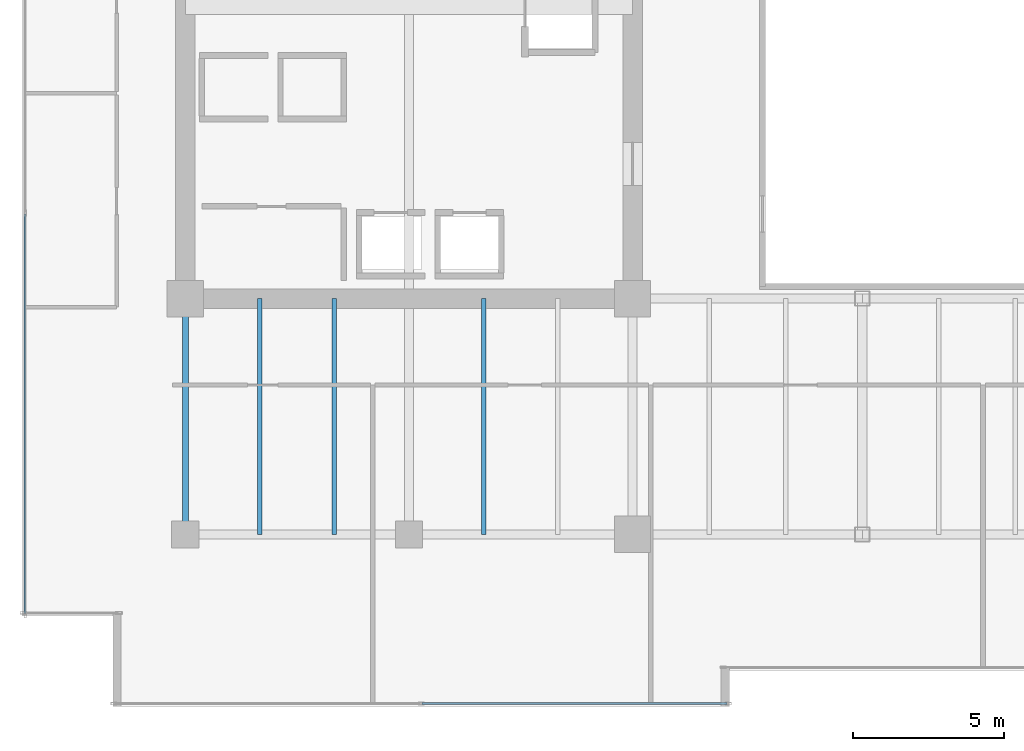
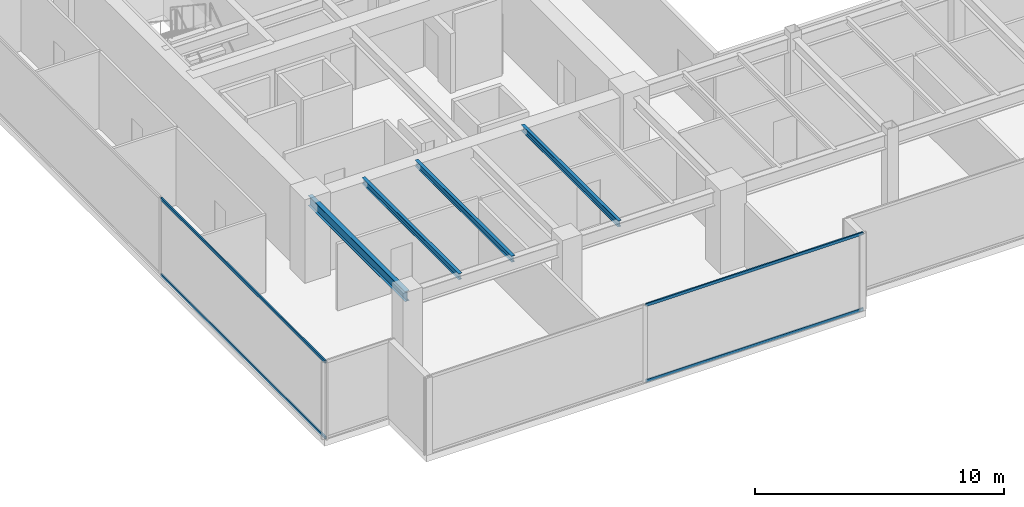
# One storey, part 3 of 30: 4 beams, 4 members, 2 elements without a shape of their own.
"""IFC4 building model written with IfcOpenShell, lengths in metres."""

from ifc_helpers import new_model, si_unit, direction, frame, origin, origin_2d, place, context, subcontext, project, spatial, hollow_rectangle, i_section, extrude, source, transform, mapped, material, layer, layer_set, material_profile, profile_set, type_object, type_shapes, element, aggregate, save


model = new_model("IFC4")

# Units and contexts
model_context = context("Model", 3, precision=1e-05, world=origin(), true_north=direction((0.0, 1.0)))
body_context = subcontext(model_context, "Body", "Model", "MODEL_VIEW")
ifc_project = project(units=[si_unit("LENGTHUNIT", "METRE"), si_unit("AREAUNIT", "SQUARE_METRE"), si_unit("VOLUMEUNIT", "CUBIC_METRE"), si_unit("PLANEANGLEUNIT", "RADIAN"), si_unit("MASSUNIT", "GRAM", prefix="KILO")], contexts=[model_context])

# Site, building, storey
site_placement = place(None, origin())
site = spatial("IfcSite", under=ifc_project, at=site_placement, CompositionType="ELEMENT")
building_placement = place(site_placement, origin())
building = spatial("IfcBuilding", under=site, at=building_placement, Name="Haelvirn Gate Laboratories", CompositionType="ELEMENT")
storey_placement = place(building_placement, frame((0.0, 0.0, 162.5)))
storey = spatial("IfcBuildingStorey", under=building, at=storey_placement, Name="L39", CompositionType="ELEMENT", Elevation=162.5)

# Beams
ifc_material_1 = material(Name="Steel SM355", Category="steel")
ifc_material_profile_1 = material_profile(ifc_material_1, i_section(OverallWidth=0.199951171875, OverallDepth=0.5, WebThickness=0.010009765625, FlangeThickness=0.01611328125, at=origin_2d()), Name="H-500x200x10x16")
ifc_profile_set_1 = profile_set([ifc_material_profile_1], Name="Steel SM355")
beam_type_1 = type_object("IfcBeamType", Name="BM-SP-500", PredefinedType="SPANDREL", material=ifc_profile_set_1)
shared_shape_1 = source(origin(), body_context, "Body", "SweptSolid", [
    extrude(i_section(OverallWidth=0.199951171875, OverallDepth=0.5, WebThickness=0.010009765625, FlangeThickness=0.01611328125, at=origin_2d()), origin(), (0.0, 0.0, 1.0), 7.800048828125),
])
type_shapes(beam_type_1, [shared_shape_1])
beam_placement = place(storey_placement, frame((7.39990234375, 7.0, 3.5400390625), z_axis=(0.0, 1.0, 0.0), x_axis=(-1.0, 0.0, 0.0)))
element("IfcBeam", 1, at=beam_placement, inside=storey, type_object=beam_type_1, Name="L39 Perimeter Spandrel X7.4 (7.0-14.8)", PredefinedType="SPANDREL", context=body_context, shape_type="MappedRepresentation", body=[
    mapped(shared_shape_1, transform((0.0, 0.0, 0.0), scale=1.0)),
])
ifc_material_profile_2 = material_profile(ifc_material_1, i_section(OverallWidth=0.14990234375, OverallDepth=0.300048828125, WebThickness=0.006591796875, FlangeThickness=0.009033203125, at=origin_2d()), Name="H-300x150x6.5x9")
ifc_profile_set_2 = profile_set([ifc_material_profile_2], Name="Steel SM355")
beam_type_2 = type_object("IfcBeamType", Name="BM-J-300", PredefinedType="JOIST", material=ifc_profile_set_2)
shared_shape_2 = source(origin(), body_context, "Body", "SweptSolid", [
    extrude(i_section(OverallWidth=0.14990234375, OverallDepth=0.300048828125, WebThickness=0.006591796875, FlangeThickness=0.009033203125, at=origin_2d()), origin(), (0.0, 0.0, 1.0), 7.800048828125),
])
type_shapes(beam_type_2, [shared_shape_2])
for number, where, z_axis, x_axis, name in (
    (2, (9.8701171875, 7.0, 3.639892578125), (0.0, 1.0, 0.0), (-1.0, 0.0, 0.0), "L39 Composite Lab Joist South X9.87"),
    (3, (12.330078125, 7.0, 3.639892578125), (0.0, 1.0, 0.0), (-1.0, 0.0, 0.0), "L39 Composite Lab Joist South X12.33"),
    (4, (17.27001953125, 7.0, 3.639892578125), (0.0, 1.0, 0.0), (-1.0, 0.0, 0.0), "L39 Composite Lab Joist South X17.27"),
):
    element("IfcBeam", number, at=place(storey_placement, frame(where, z_axis=z_axis, x_axis=x_axis)), inside=storey, type_object=beam_type_2, Name=name, PredefinedType="JOIST", context=body_context, shape_type="MappedRepresentation", body=[
        mapped(shared_shape_2, transform((0.0, 0.0, 0.0), scale=1.0)),
    ])

# Curtain wall, members
ifc_material_2 = material(Name="Anodised bronze unitised aluminium & triple low-E glass", Category="aluminium")
ifc_layer = layer(ifc_material_2, 0.179931640625, Name="CW-SYS-3")
ifc_layer_set = layer_set([ifc_layer], Name="Anodised bronze unitised aluminium & triple low-E glass")
curtain_wall_type = type_object("IfcCurtainWallType", Name="CW-SYS-3", PredefinedType="NOTDEFINED", material=ifc_layer_set)
curtain_wall_1_placement = place(storey_placement, origin())
curtain_wall_1 = element("IfcCurtainWall", 5, at=curtain_wall_1_placement, inside=storey, type_object=curtain_wall_type, Name="L39 Unitised Curtain Wall CW-L39-P0-E00-1", PredefinedType="NOTDEFINED")
ifc_material_3 = material(Name="Extruded aluminium 6063-T6 (anodised bronze)", Category="aluminium")
ifc_material_profile_3 = material_profile(ifc_material_3, hollow_rectangle(XDim=0.06494140625, YDim=0.139892578125, WallThickness=0.00390625, at=origin_2d()), Name="CWT-140x65x4")
ifc_profile_set_3 = profile_set([ifc_material_profile_3], Name="Extruded aluminium 6063-T6 (anodised bronze)")
member_type = type_object("IfcMemberType", Name="CWT-T140", PredefinedType="USERDEFINED", material=ifc_profile_set_3)
shared_shape_3 = source(origin(), body_context, "Body", "SweptSolid", [
    extrude(hollow_rectangle(XDim=0.06494140625, YDim=0.139892578125, WallThickness=0.00390625, at=origin_2d()), origin(), (0.0, 0.0, 1.0), 10.08740234375),
])
member_1_placement = place(storey_placement, frame((15.237548828125, 1.39990234375, 0.032470703125), z_axis=(1.0, 0.0, 0.0), x_axis=(0.0, 1.0, 0.0)))
member_1 = element("IfcMember", 6, at=member_1_placement, type_object=member_type, Name="CW3 transom 2.1", ObjectType="TRANSOM", PredefinedType="USERDEFINED", context=body_context, shape_type="MappedRepresentation", body=[
    mapped(shared_shape_3, transform((0.0, 0.0, 0.0), scale=1.0)),
])
member_2_placement = place(storey_placement, frame((15.237548828125, 1.39990234375, 3.757568359375), z_axis=(1.0, 0.0, 0.0), x_axis=(0.0, 1.0, 0.0)))
member_2 = element("IfcMember", 7, at=member_2_placement, type_object=member_type, Name="CW3 transom 2.2", ObjectType="TRANSOM", PredefinedType="USERDEFINED", context=body_context, shape_type="MappedRepresentation", body=[
    mapped(shared_shape_3, transform((0.0, 0.0, 0.0), scale=1.0)),
])
aggregate(curtain_wall_1, [member_1, member_2])

curtain_wall_2_placement = place(storey_placement, origin())
curtain_wall_2 = element("IfcCurtainWall", 8, at=curtain_wall_2_placement, inside=storey, type_object=curtain_wall_type, Name="L39 Unitised Curtain Wall CW-L39-P0-E17", PredefinedType="NOTDEFINED")
shared_shape_4 = source(origin(), body_context, "Body", "SweptSolid", [
    extrude(hollow_rectangle(XDim=0.06494140625, YDim=0.139892578125, WallThickness=0.00390625, at=origin_2d()), origin(), (0.0, 0.0, 1.0), 13.220947265625),
])
type_shapes(member_type, [shared_shape_3, shared_shape_4])
member_3_placement = place(storey_placement, frame((2.10009765625, 17.595947265625, 0.032470703125), z_axis=(0.0, -1.0, 0.0), x_axis=(1.0, 0.0, 0.0)))
member_3 = element("IfcMember", 9, at=member_3_placement, type_object=member_type, Name="CW3 transom 3.1", ObjectType="TRANSOM", PredefinedType="USERDEFINED", context=body_context, shape_type="MappedRepresentation", body=[
    mapped(shared_shape_4, transform((0.0, 0.0, 0.0), scale=1.0)),
])
member_4_placement = place(storey_placement, frame((2.10009765625, 17.595947265625, 3.757568359375), z_axis=(0.0, -1.0, 0.0), x_axis=(1.0, 0.0, 0.0)))
member_4 = element("IfcMember", 10, at=member_4_placement, type_object=member_type, Name="CW3 transom 3.2", ObjectType="TRANSOM", PredefinedType="USERDEFINED", context=body_context, shape_type="MappedRepresentation", body=[
    mapped(shared_shape_4, transform((0.0, 0.0, 0.0), scale=1.0)),
])
aggregate(curtain_wall_2, [member_3, member_4])

save(model, "model.ifc")
